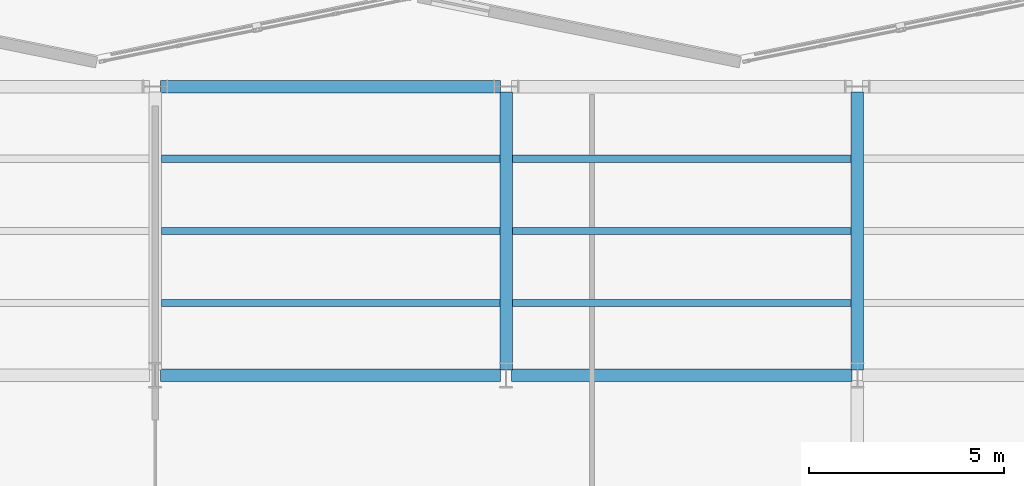
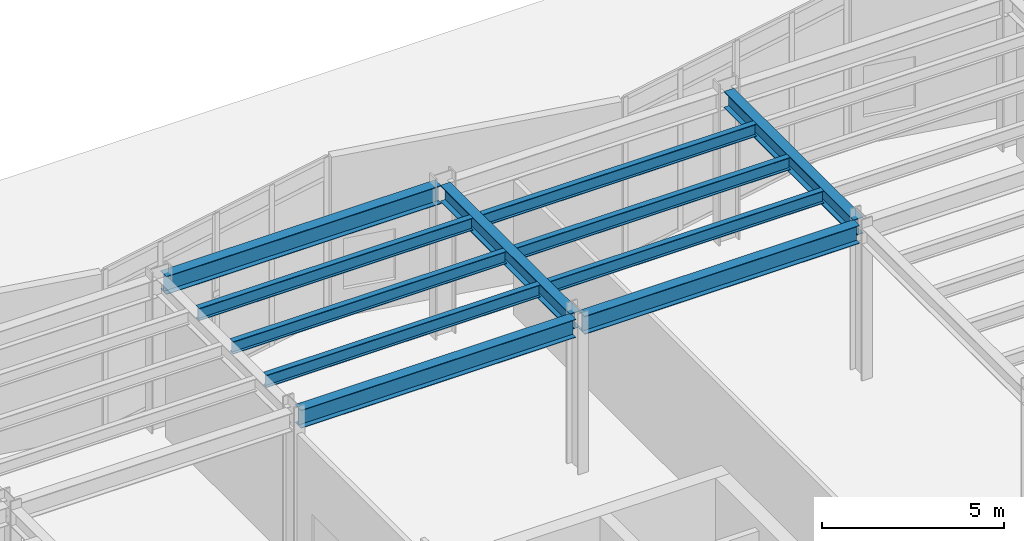
# One storey, part 55 of 94: 11 beams.
"""IFC4 building model written with IfcOpenShell, lengths in metres."""

from ifc_helpers import new_model, si_unit, direction, frame, origin, origin_2d, place, context, subcontext, project, spatial, i_section, extrude, material, material_profile, profile_set, type_object, element, save


model = new_model("IFC4")

# Units and contexts
model_context = context("Model", 3, precision=1e-05, world=origin(), true_north=direction((0.0, 1.0)))
body_context = subcontext(model_context, "Body", "Model", "MODEL_VIEW")
ifc_project = project(units=[si_unit("LENGTHUNIT", "METRE"), si_unit("AREAUNIT", "SQUARE_METRE"), si_unit("VOLUMEUNIT", "CUBIC_METRE"), si_unit("PLANEANGLEUNIT", "RADIAN"), si_unit("MASSUNIT", "GRAM", prefix="KILO")], contexts=[model_context])

# Site, building, storey
site_placement = place(None, origin())
site = spatial("IfcSite", under=ifc_project, at=site_placement, CompositionType="ELEMENT")
building_placement = place(site_placement, origin())
building = spatial("IfcBuilding", under=site, at=building_placement, Name="Sollismere Congress Hotel", CompositionType="ELEMENT")
storey_placement = place(building_placement, origin())
storey = spatial("IfcBuildingStorey", under=building, at=storey_placement, Name="L00", CompositionType="ELEMENT", Elevation=0.0)

# Beams
ifc_material = material(Name="Steel ASTM A992 Grade 50", Category="steel")
ifc_material_profile_1 = material_profile(ifc_material, i_section(OverallWidth=0.31494140625, OverallDepth=0.551025390625, WebThickness=0.01513671875, FlangeThickness=0.0244140625, at=origin_2d()), Name="W21X122")
ifc_profile_set_1 = profile_set([ifc_material_profile_1], Name="Steel ASTM A992 Grade 50")
beam_type_1 = type_object("IfcBeamType", Name="BM-G21H", PredefinedType="BEAM", material=ifc_profile_set_1)
for number, where, z_axis, x_axis, name in (
    (1, (85.0, 95.139892578125, 4.839599609375), (0.0, 1.0, 0.0), (-1.0, 0.0, 0.0), "Beam BM-L00-1265"),
    (2, (94.0, 95.139892578125, 4.839599609375), (0.0, 1.0, 0.0), (-1.0, 0.0, 0.0), "Beam BM-L00-1270"),
):
    element("IfcBeam", number, at=place(storey_placement, frame(where, z_axis=z_axis, x_axis=x_axis)), inside=storey, type_object=beam_type_1, Name=name, PredefinedType="BEAM", context=body_context, shape_type="SweptSolid", body=[
        extrude(i_section(OverallWidth=0.31494140625, OverallDepth=0.551025390625, WebThickness=0.01513671875, FlangeThickness=0.0244140625, at=origin_2d()), origin(), (0.0, 0.0, 1.0), 7.1201171875),
    ])
ifc_material_profile_2 = material_profile(ifc_material, i_section(OverallWidth=0.324951171875, OverallDepth=0.612060546875, WebThickness=0.0126953125, FlangeThickness=0.01904296875, at=origin_2d()), Name="W24X104")
ifc_profile_set_2 = profile_set([ifc_material_profile_2], Name="Steel ASTM A992 Grade 50")
beam_type_2 = type_object("IfcBeamType", Name="BM-G24", PredefinedType="BEAM", material=ifc_profile_set_2)
for number, where, z_axis, x_axis, name in (
    (3, (76.139892578125, 95.0, 4.80908203125), (1.0, 0.0, 0.0), (0.0, 1.0, 0.0), "Beam BM-L00-1211"),
    (4, (85.139892578125, 95.0, 4.80908203125), (1.0, 0.0, 0.0), (0.0, 1.0, 0.0), "Beam BM-L00-1212"),
    (5, (76.139892578125, 102.39990234375, 4.80908203125), (1.0, 0.0, 0.0), (0.0, 1.0, 0.0), "Beam BM-L00-1218"),
):
    element("IfcBeam", number, at=place(storey_placement, frame(where, z_axis=z_axis, x_axis=x_axis)), inside=storey, type_object=beam_type_2, Name=name, PredefinedType="BEAM", context=body_context, shape_type="SweptSolid", body=[
        extrude(i_section(OverallWidth=0.324951171875, OverallDepth=0.612060546875, WebThickness=0.0126953125, FlangeThickness=0.01904296875, at=origin_2d()), origin(), (0.0, 0.0, 1.0), 8.72021484375),
    ])
ifc_material_profile_3 = material_profile(ifc_material, i_section(OverallWidth=0.180908203125, OverallDepth=0.4169921875, WebThickness=0.010986328125, FlangeThickness=0.018310546875, at=origin_2d()), Name="W16X57")
ifc_profile_set_3 = profile_set([ifc_material_profile_3], Name="Steel ASTM A992 Grade 50")
beam_type_3 = type_object("IfcBeamType", Name="BM-J16", PredefinedType="JOIST", material=ifc_profile_set_3)
for number, where, z_axis, x_axis, name in (
    (6, (76.157470703125, 96.85009765625, 4.906494140625), (1.0, 0.0, 0.0), (0.0, 1.0, 0.0), "Beam BM-L00-1387"),
    (7, (76.157470703125, 98.699951171875, 4.906494140625), (1.0, 0.0, 0.0), (0.0, 1.0, 0.0), "Beam BM-L00-1388"),
    (8, (76.157470703125, 100.550048828125, 4.906494140625), (1.0, 0.0, 0.0), (0.0, 1.0, 0.0), "Beam BM-L00-1389"),
    (9, (85.157470703125, 96.85009765625, 4.906494140625), (1.0, 0.0, 0.0), (0.0, 1.0, 0.0), "Beam BM-L00-1394"),
    (10, (85.157470703125, 98.699951171875, 4.906494140625), (1.0, 0.0, 0.0), (0.0, 1.0, 0.0), "Beam BM-L00-1395"),
    (11, (85.157470703125, 100.550048828125, 4.906494140625), (1.0, 0.0, 0.0), (0.0, 1.0, 0.0), "Beam BM-L00-1396"),
):
    element("IfcBeam", number, at=place(storey_placement, frame(where, z_axis=z_axis, x_axis=x_axis)), inside=storey, type_object=beam_type_3, Name=name, PredefinedType="JOIST", context=body_context, shape_type="SweptSolid", body=[
        extrude(i_section(OverallWidth=0.180908203125, OverallDepth=0.4169921875, WebThickness=0.010986328125, FlangeThickness=0.018310546875, at=origin_2d()), origin(), (0.0, 0.0, 1.0), 8.68505859375),
    ])

save(model, "model.ifc")
